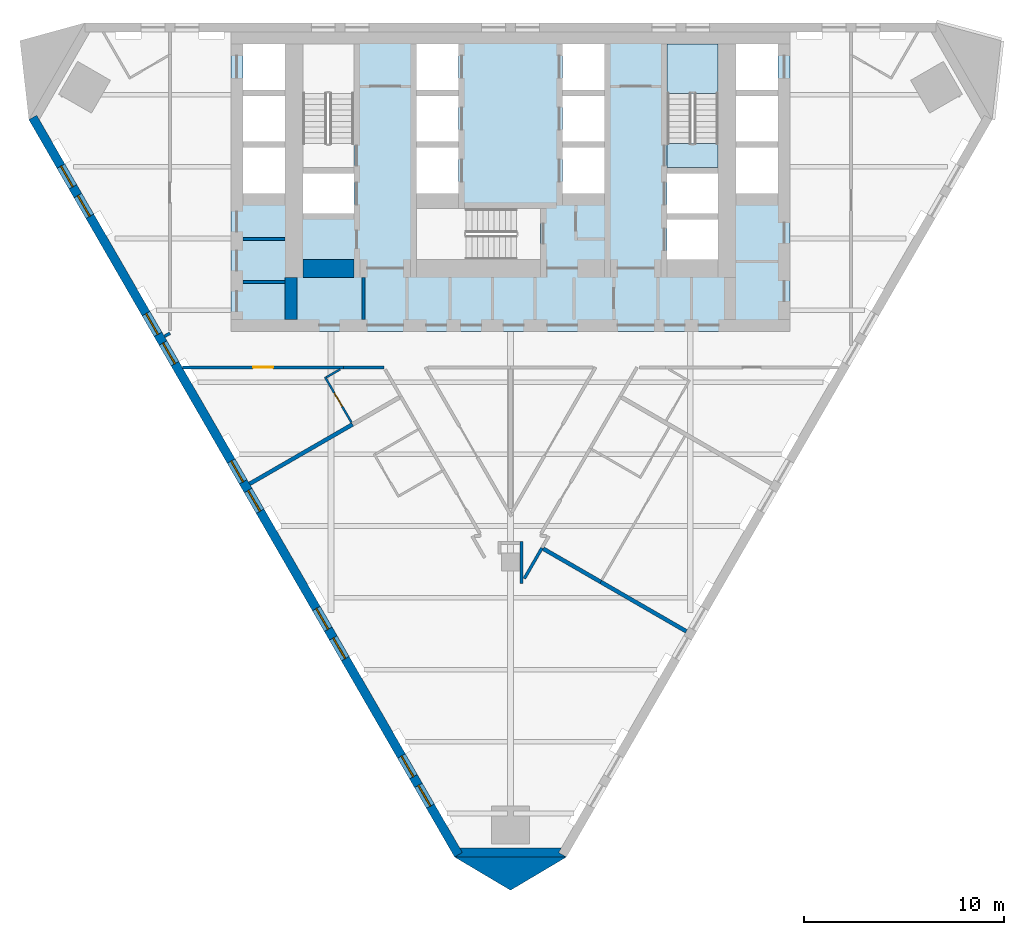
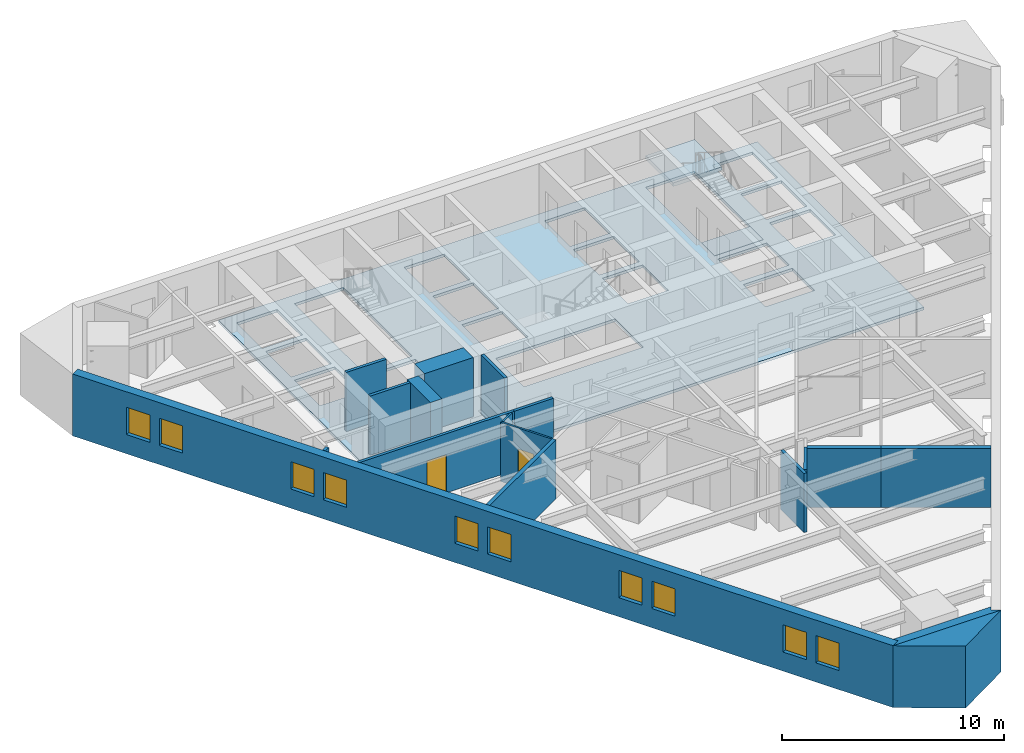
# One storey, part 2 of 9: 18 walls, 10 windows, 3 slabs, 2 doors, 12 openings, 1 element without a shape of its own.
"""IFC4 building model written with IfcOpenShell, lengths in metres."""

from ifc_helpers import new_model, si_unit, direction, frame, frame_2d, origin, place, context, subcontext, project, spatial, polyline, rectangle, outline, extrude, material, layer, layer_set, type_object, element, fill, aggregate, save


model = new_model("IFC4")

# Units and contexts
model_context = context("Model", 3, precision=1e-05, world=origin(), true_north=direction((0.0, 1.0)))
body_context = subcontext(model_context, "Body", "Model", "MODEL_VIEW")
ifc_project = project(units=[si_unit("LENGTHUNIT", "METRE"), si_unit("AREAUNIT", "SQUARE_METRE"), si_unit("VOLUMEUNIT", "CUBIC_METRE"), si_unit("PLANEANGLEUNIT", "RADIAN"), si_unit("MASSUNIT", "GRAM", prefix="KILO")], contexts=[model_context])

# Site, building, storey
site_placement = place(None, origin())
site = spatial("IfcSite", under=ifc_project, at=site_placement, CompositionType="ELEMENT")
building_placement = place(site_placement, origin())
building = spatial("IfcBuilding", under=site, at=building_placement, Name="Aloe Facet Convention Tower", CompositionType="ELEMENT")
storey_placement = place(building_placement, frame((0.0, 0.0, 120.300048828125)))
storey = spatial("IfcBuildingStorey", under=building, at=storey_placement, Name="L30", CompositionType="ELEMENT", Elevation=120.300048828125)

# Slabs
ifc_material_1 = material(Name="Concrete C70/85", Category="concrete")
ifc_layer_1 = layer(ifc_material_1, 0.14990234375)
ifc_layer_set_1 = layer_set([ifc_layer_1], Name="CR-S-FLOOR150-C7085")
slab_type_1 = type_object("IfcSlabType", Name="CR-S-FLOOR150-C7085", PredefinedType="FLOOR", material=ifc_layer_set_1)
slab_1_placement = place(storey_placement, frame((0.0, 0.0, -0.150146484375)))
element("IfcSlab", 1, at=slab_1_placement, inside=storey, type_object=slab_type_1, Name="Core floor L30", PredefinedType="FLOOR", context=body_context, shape_type="SweptSolid", body=[
    extrude(outline(polyline([(69.300048828125, 134.550048828125), (71.85009765625, 134.550048828125), (72.75, 134.550048828125), (74.699951171875, 134.550048828125), (75.60009765625, 134.550048828125), (77.10009765625, 134.550048828125), (78.0, 134.550048828125), (82.0, 134.550048828125), (82.89990234375, 134.550048828125), (84.39990234375, 134.550048828125), (85.300048828125, 134.550048828125), (87.25, 134.550048828125), (88.14990234375, 134.550048828125), (90.699951171875, 134.550048828125), (91.0, 134.550048828125), (94.0, 134.550048828125), (94.0, 131.949951171875), (94.0, 131.050048828125), (94.0, 129.35009765625), (94.0, 128.449951171875), (94.0, 126.449951171875), (94.0, 125.85009765625), (94.0, 123.57373046875), (94.0, 122.523681640625), (94.0, 119.550048828125), (91.300048828125, 119.550048828125), (90.699951171875, 119.550048828125), (89.60009765625, 119.550048828125), (88.550048828125, 119.550048828125), (87.89990234375, 119.550048828125), (86.85009765625, 119.550048828125), (85.699951171875, 119.550048828125), (84.64990234375, 119.550048828125), (83.699951171875, 119.550048828125), (82.64990234375, 119.550048828125), (81.75, 119.550048828125), (80.699951171875, 119.550048828125), (79.61669921875, 119.550048828125), (78.566650390625, 119.550048828125), (77.4833984375, 119.550048828125), (76.433349609375, 119.550048828125), (75.35009765625, 119.550048828125), (74.300048828125, 119.550048828125), (73.14990234375, 119.550048828125), (72.10009765625, 119.550048828125), (69.300048828125, 119.550048828125), (68.699951171875, 119.550048828125), (66.0, 119.550048828125), (66.0, 121.5), (66.0, 122.550048828125), (66.0, 123.639404296875), (66.0, 124.689453125), (66.0, 125.85009765625), (66.0, 126.449951171875), (66.0, 128.449951171875), (66.0, 129.35009765625), (66.0, 131.050048828125), (66.0, 131.949951171875), (66.0, 134.550048828125), (69.0, 134.550048828125), (69.300048828125, 134.550048828125)]), holes=[polyline([(75.300048828125, 123.14990234375), (80.298828125, 123.14990234375), (81.5, 123.14990234375), (81.5, 125.699951171875), (80.298828125, 125.699951171875), (75.300048828125, 125.699951171875), (75.300048828125, 123.14990234375)]), polyline([(69.60009765625, 125.449951171875), (72.14990234375, 125.449951171875), (72.14990234375, 127.449951171875), (69.60009765625, 127.449951171875), (69.60009765625, 125.449951171875)]), polyline([(66.60009765625, 126.449951171875), (68.699951171875, 126.449951171875), (68.699951171875, 128.75), (66.60009765625, 128.75), (66.60009765625, 126.449951171875)]), polyline([(75.300048828125, 126.449951171875), (77.39990234375, 126.449951171875), (77.39990234375, 128.75), (75.300048828125, 128.75), (75.300048828125, 126.449951171875)]), polyline([(66.60009765625, 129.050048828125), (68.699951171875, 129.050048828125), (68.699951171875, 131.35009765625), (66.60009765625, 131.35009765625), (66.60009765625, 129.050048828125)]), polyline([(75.300048828125, 129.050048828125), (77.39990234375, 129.050048828125), (77.39990234375, 131.35009765625), (75.300048828125, 131.35009765625), (75.300048828125, 129.050048828125)]), polyline([(69.60009765625, 133.949951171875), (69.60009765625, 128.951171875), (69.60009765625, 127.75), (72.14990234375, 127.75), (72.14990234375, 128.951171875), (72.14990234375, 133.949951171875), (69.60009765625, 133.949951171875)]), polyline([(66.60009765625, 133.949951171875), (66.60009765625, 131.64990234375), (68.699951171875, 131.64990234375), (68.699951171875, 133.949951171875), (66.60009765625, 133.949951171875)]), polyline([(75.300048828125, 133.949951171875), (75.300048828125, 131.64990234375), (77.39990234375, 131.64990234375), (77.39990234375, 133.949951171875), (75.300048828125, 133.949951171875)]), polyline([(87.85009765625, 123.14990234375), (90.39990234375, 123.14990234375), (90.39990234375, 125.14990234375), (87.85009765625, 125.14990234375), (87.85009765625, 123.14990234375)]), polyline([(87.85009765625, 125.449951171875), (90.39990234375, 125.449951171875), (90.39990234375, 127.449951171875), (87.85009765625, 127.449951171875), (87.85009765625, 125.449951171875)]), polyline([(82.60009765625, 126.449951171875), (84.699951171875, 126.449951171875), (84.699951171875, 128.75), (82.60009765625, 128.75), (82.60009765625, 126.449951171875)]), polyline([(91.300048828125, 126.449951171875), (93.39990234375, 126.449951171875), (93.39990234375, 128.75), (91.300048828125, 128.75), (91.300048828125, 126.449951171875)]), polyline([(82.60009765625, 129.050048828125), (84.699951171875, 129.050048828125), (84.699951171875, 131.35009765625), (82.60009765625, 131.35009765625), (82.60009765625, 129.050048828125)]), polyline([(91.300048828125, 129.050048828125), (93.39990234375, 129.050048828125), (93.39990234375, 131.35009765625), (91.300048828125, 131.35009765625), (91.300048828125, 129.050048828125)]), polyline([(87.85009765625, 133.949951171875), (87.85009765625, 128.951171875), (87.85009765625, 127.75), (90.39990234375, 127.75), (90.39990234375, 128.951171875), (90.39990234375, 133.949951171875), (87.85009765625, 133.949951171875)]), polyline([(82.60009765625, 133.949951171875), (82.60009765625, 131.64990234375), (84.699951171875, 131.64990234375), (84.699951171875, 133.949951171875), (82.60009765625, 133.949951171875)]), polyline([(91.300048828125, 133.949951171875), (91.300048828125, 131.64990234375), (93.39990234375, 131.64990234375), (93.39990234375, 133.949951171875), (91.300048828125, 133.949951171875)])]), origin(), (0.0, 0.0, 1.0), 0.150146484375),
])
ifc_material_2 = material(Name="Concrete C70/85", Category="concrete")
ifc_layer_2 = layer(ifc_material_2, 0.300048828125)
ifc_layer_set_2 = layer_set([ifc_layer_2], Name="CR-S-FLOOR300-C7085")
slab_type_2 = type_object("IfcSlabType", Name="CR-S-FLOOR300-C7085", PredefinedType="FLOOR", material=ifc_layer_set_2)
slab_2_placement = place(storey_placement, frame((0.0, 0.0, -0.300048828125)))
element("IfcSlab", 2, at=slab_2_placement, inside=storey, type_object=slab_type_2, Name="Stair landing floor L30", PredefinedType="FLOOR", context=body_context, shape_type="SweptSolid", body=[
    extrude(outline(polyline([(90.39990234375, 127.75), (90.39990234375, 128.951171875), (87.85009765625, 128.951171875), (87.85009765625, 127.75), (90.39990234375, 127.75)])), origin(), (0.0, 0.0, 1.0), 0.300048828125),
])

# Stair, slab
ifc_material_3 = material(Name="Concrete C50/60", Category="concrete")
stair_type = type_object("IfcStairType", Name="CR-ST-20R", PredefinedType="HALF_TURN_STAIR", material=ifc_material_3)
stair_placement = place(storey_placement, origin())
stair = element("IfcStair", 3, at=stair_placement, inside=storey, type_object=stair_type, Name="L30 Protected exit stair ST2", PredefinedType="HALF_TURN_STAIR")
ifc_material_4 = material(Name="Concrete C50/60", Category="concrete")
ifc_layer_3 = layer(ifc_material_4, 0.199951171875)
ifc_layer_set_3 = layer_set([ifc_layer_3], Name="CR-SL-LANDING")
slab_type_3 = type_object("IfcSlabType", Name="CR-SL-LANDING", PredefinedType="LANDING", material=ifc_layer_set_3)
slab_3_placement = place(storey_placement, frame((0.0, 0.0, 1.550048828125)))
slab_3 = element("IfcSlab", 4, at=slab_3_placement, type_object=slab_type_3, Name="ST2 landing 1", PredefinedType="LANDING", context=body_context, shape_type="SweptSolid", body=[
    extrude(outline(polyline([(90.39990234375, 131.469970703125), (90.39990234375, 133.949951171875), (87.85009765625, 133.949951171875), (87.85009765625, 131.469970703125), (90.39990234375, 131.469970703125)])), origin(), (0.0, 0.0, 1.0), 0.199951171875),
])
aggregate(stair, [slab_3])

# Walls
ifc_material_5 = material(Name="Concrete blockwork partition", Category="masonry")
ifc_layer_4 = layer(ifc_material_5, 0.14990234375)
ifc_layer_set_4 = layer_set([ifc_layer_4], Name="CR-W-PART150")
wall_type_1 = type_object("IfcWallType", Name="CR-W-PART150", PredefinedType="PARTITIONING", material=ifc_layer_set_4)
for number, where, z_axis, x_axis, name in (
    (5, (66.60009765625, 124.16455078125, 0.0), (0.0, 0.0, 1.0), (1.0, 0.0, 0.0), "Core partition L30-007"),
    (6, (66.60009765625, 122.02490234375, 0.0), (0.0, 0.0, 1.0), (1.0, 0.0, 0.0), "Core partition L30-008"),
):
    element("IfcWall", number, at=place(storey_placement, frame(where, z_axis=z_axis, x_axis=x_axis)), inside=storey, type_object=wall_type_1, Name=name, PredefinedType="PARTITIONING", context=body_context, shape_type="SweptSolid", body=[
        extrude(rectangle(XDim=2.099853515625, YDim=0.14990234375, at=frame_2d((1.0498046875, 0.0))), origin(), (0.0, 0.0, 1.0), 3.25),
    ])
wall_1_placement = place(storey_placement, frame((72.625, 122.25, 0.0), z_axis=(0.0, 0.0, 1.0), x_axis=(0.0, -1.0, 0.0)))
element("IfcWall", 7, at=wall_1_placement, inside=storey, type_object=wall_type_1, Name="Core partition L30-017", PredefinedType="PARTITIONING", context=body_context, shape_type="SweptSolid", body=[
    extrude(rectangle(XDim=2.10009765625, YDim=0.14990234375, at=frame_2d((1.050048828125, 0.0))), origin(), (0.0, 0.0, 1.0), 3.25),
])
ifc_material_6 = material(Name="Concrete C70/85", Category="concrete")
ifc_layer_5 = layer(ifc_material_6, 0.60009765625)
ifc_layer_set_5 = layer_set([ifc_layer_5], Name="CR-W-RC600-C7085")
wall_type_2 = type_object("IfcWallType", Name="CR-W-RC600-C7085", PredefinedType="SOLIDWALL", material=ifc_layer_set_5)
wall_2_placement = place(storey_placement, frame((69.0, 122.25, 0.0), z_axis=(0.0, 0.0, 1.0), x_axis=(0.0, -1.0, 0.0)))
element("IfcWall", 8, at=wall_2_placement, inside=storey, type_object=wall_type_2, Name="Core wall L30-010", PredefinedType="SOLIDWALL", context=body_context, shape_type="SweptSolid", body=[
    extrude(rectangle(XDim=2.10009765625, YDim=0.60009765625, at=frame_2d((1.050048828125, 0.0))), origin(), (0.0, 0.0, 1.0), 3.25),
])
ifc_material_7 = material(Name="Concrete C70/85", Category="concrete")
ifc_layer_6 = layer(ifc_material_7, 0.89990234375)
ifc_layer_set_6 = layer_set([ifc_layer_6], Name="CR-W-RC900-C7085")
wall_type_3 = type_object("IfcWallType", Name="CR-W-RC900-C7085", PredefinedType="SOLIDWALL", material=ifc_layer_set_6)
wall_3_placement = place(storey_placement, frame((69.60009765625, 122.699951171875, 0.0), z_axis=(0.0, 0.0, 1.0), x_axis=(1.0, 0.0, 0.0)))
element("IfcWall", 9, at=wall_3_placement, inside=storey, type_object=wall_type_3, Name="Core wall L30-013", PredefinedType="SOLIDWALL", context=body_context, shape_type="SweptSolid", body=[
    extrude(rectangle(XDim=2.5498046875, YDim=0.89990234375, at=frame_2d((1.27490234375, 0.0))), origin(), (0.0, 0.0, 1.0), 3.25),
])
ifc_material_8 = material(Name="Precast concrete C40/50", Category="concrete")
ifc_layer_7 = layer(ifc_material_8, 0.449951171875)
ifc_layer_set_7 = layer_set([ifc_layer_7], Name="EV-WALL-PIER")
wall_type_4 = type_object("IfcWallType", Name="EV-WALL-PIER", PredefinedType="SOLIDWALL", material=ifc_layer_set_7)
wall_4_placement = place(storey_placement, frame((0.0, 0.0, -0.150146484375)))
element("IfcWall", 10, at=wall_4_placement, inside=storey, type_object=wall_type_4, Name="EP-L30-B", PredefinedType="SOLIDWALL", context=body_context, shape_type="SweptSolid", body=[
    extrude(outline(polyline([(77.199951171875, 93.22021484375), (77.589599609375, 93.4453125), (77.459716796875, 93.670166015625), (82.540283203125, 93.670166015625), (82.410400390625, 93.4453125), (82.800048828125, 93.22021484375), (77.199951171875, 93.22021484375)])), origin(), (0.0, 0.0, 1.0), 3.400146484375),
])
ifc_material_9 = material(Name="Precast concrete C40/50", Category="concrete")
ifc_layer_8 = layer(ifc_material_9, 3.947998046875)
ifc_layer_set_8 = layer_set([ifc_layer_8], Name="EV-WALL-SPINE")
wall_type_5 = type_object("IfcWallType", Name="EV-WALL-SPINE", PredefinedType="SOLIDWALL", material=ifc_layer_set_8)
wall_5_placement = place(storey_placement, frame((0.0, 0.0, -0.150146484375)))
element("IfcWall", 11, at=wall_5_placement, inside=storey, type_object=wall_type_5, Name="SP-S-L30", PredefinedType="SOLIDWALL", context=body_context, shape_type="SweptSolid", body=[
    extrude(outline(polyline([(77.199951171875, 93.22021484375), (80.0, 91.55615234375), (82.800048828125, 93.22021484375), (77.199951171875, 93.22021484375)])), origin(), (0.0, 0.0, 1.0), 3.400146484375),
])

# Wall, openings, windows
ifc_material_10 = material(Name="Precast concrete C40/50", Category="concrete")
ifc_layer_9 = layer(ifc_material_10, 0.449951171875)
ifc_layer_set_9 = layer_set([ifc_layer_9], Name="EV-WALL-STONE")
wall_type_6 = type_object("IfcWallType", Name="EV-WALL-STONE", PredefinedType="SOLIDWALL", material=ifc_layer_set_9)
wall_6_placement = place(storey_placement, frame((56.0732421875, 130.2626953125, -0.150146484375), z_axis=(0.0, 0.0, 1.0), x_axis=(0.500000478905, -0.866025127289, 0.0)))
wall_6 = element("IfcWall", 12, at=wall_6_placement, inside=storey, type_object=wall_type_6, Name="EW-L30-W01", PredefinedType="SOLIDWALL", context=body_context, shape_type="SweptSolid", body=[
    extrude(outline(polyline([(42.64306640625, 0.0), (42.64306640625, 3.400146484375), (0.0, 3.400146484375), (0.0, 0.0), (42.64306640625, 0.0)])), frame((0.0, 0.22509765625, 0.0), z_axis=(0.0, -1.0, 0.0), x_axis=(1.0, 0.0, 0.0)), (0.0, 0.0, 1.0), 0.449951171875),
])
opening_1_placement = place(wall_6_placement, frame((2.814208984375, 0.0, 1.050048828125)))
opening_1 = element("IfcOpeningElement", 13, at=opening_1_placement, cuts=wall_6, Name="Opening W-L30-W01", PredefinedType="OPENING", context=body_context, shape_type="SweptSolid", body=[
    extrude(rectangle(XDim=1.199951171875, YDim=1.5, at=frame_2d((0.60009765625, 0.75))), frame((0.0, 0.23486328125, 0.0), z_axis=(0.0, -1.0, 0.0), x_axis=(1.0, 0.0, 0.0)), (0.0, 0.0, 1.0), 0.469970703125),
])
opening_2_placement = place(wall_6_placement, frame((4.514404296875, 0.0, 1.050048828125)))
opening_2 = element("IfcOpeningElement", 14, at=opening_2_placement, cuts=wall_6, Name="Opening W-L30-W02", PredefinedType="OPENING", context=body_context, shape_type="SweptSolid", body=[
    extrude(rectangle(XDim=1.199951171875, YDim=1.5, at=frame_2d((0.60009765625, 0.75))), frame((0.0, 0.23486328125, 0.0), z_axis=(0.0, -1.0, 0.0), x_axis=(1.0, 0.0, 0.0)), (0.0, 0.0, 1.0), 0.469970703125),
])
opening_3_placement = place(wall_6_placement, frame((11.343017578125, 0.0, 1.050048828125)))
opening_3 = element("IfcOpeningElement", 15, at=opening_3_placement, cuts=wall_6, Name="Opening W-L30-W03", PredefinedType="OPENING", context=body_context, shape_type="SweptSolid", body=[
    extrude(rectangle(XDim=1.199951171875, YDim=1.5, at=frame_2d((0.60009765625, 0.75))), frame((0.0, 0.23486328125, 0.0), z_axis=(0.0, -1.0, 0.0), x_axis=(1.0, 0.0, 0.0)), (0.0, 0.0, 1.0), 0.469970703125),
])
opening_4_placement = place(wall_6_placement, frame((13.04296875, 0.0, 1.050048828125)))
opening_4 = element("IfcOpeningElement", 16, at=opening_4_placement, cuts=wall_6, Name="Opening W-L30-W04", PredefinedType="OPENING", context=body_context, shape_type="SweptSolid", body=[
    extrude(rectangle(XDim=1.199951171875, YDim=1.5, at=frame_2d((0.60009765625, 0.75))), frame((0.0, 0.23486328125, 0.0), z_axis=(0.0, -1.0, 0.0), x_axis=(1.0, 0.0, 0.0)), (0.0, 0.0, 1.0), 0.469970703125),
])
opening_5_placement = place(wall_6_placement, frame((19.87158203125, 0.0, 1.050048828125)))
opening_5 = element("IfcOpeningElement", 17, at=opening_5_placement, cuts=wall_6, Name="Opening W-L30-W05", PredefinedType="OPENING", context=body_context, shape_type="SweptSolid", body=[
    extrude(rectangle(XDim=1.199951171875, YDim=1.5, at=frame_2d((0.60009765625, 0.75))), frame((0.0, 0.23486328125, 0.0), z_axis=(0.0, -1.0, 0.0), x_axis=(1.0, 0.0, 0.0)), (0.0, 0.0, 1.0), 0.469970703125),
])
opening_6_placement = place(wall_6_placement, frame((21.571533203125, 0.0, 1.050048828125)))
opening_6 = element("IfcOpeningElement", 18, at=opening_6_placement, cuts=wall_6, Name="Opening W-L30-W06", PredefinedType="OPENING", context=body_context, shape_type="SweptSolid", body=[
    extrude(rectangle(XDim=1.199951171875, YDim=1.5, at=frame_2d((0.60009765625, 0.75))), frame((0.0, 0.23486328125, 0.0), z_axis=(0.0, -1.0, 0.0), x_axis=(1.0, 0.0, 0.0)), (0.0, 0.0, 1.0), 0.469970703125),
])
opening_7_placement = place(wall_6_placement, frame((28.400146484375, 0.0, 1.050048828125)))
opening_7 = element("IfcOpeningElement", 19, at=opening_7_placement, cuts=wall_6, Name="Opening W-L30-W07", PredefinedType="OPENING", context=body_context, shape_type="SweptSolid", body=[
    extrude(rectangle(XDim=1.199951171875, YDim=1.5, at=frame_2d((0.60009765625, 0.75))), frame((0.0, 0.23486328125, 0.0), z_axis=(0.0, -1.0, 0.0), x_axis=(1.0, 0.0, 0.0)), (0.0, 0.0, 1.0), 0.469970703125),
])
opening_8_placement = place(wall_6_placement, frame((30.10009765625, 0.0, 1.050048828125)))
opening_8 = element("IfcOpeningElement", 20, at=opening_8_placement, cuts=wall_6, Name="Opening W-L30-W08", PredefinedType="OPENING", context=body_context, shape_type="SweptSolid", body=[
    extrude(rectangle(XDim=1.199951171875, YDim=1.5, at=frame_2d((0.60009765625, 0.75))), frame((0.0, 0.23486328125, 0.0), z_axis=(0.0, -1.0, 0.0), x_axis=(1.0, 0.0, 0.0)), (0.0, 0.0, 1.0), 0.469970703125),
])
opening_9_placement = place(wall_6_placement, frame((36.9287109375, 0.0, 1.050048828125)))
opening_9 = element("IfcOpeningElement", 21, at=opening_9_placement, cuts=wall_6, Name="Opening W-L30-W09", PredefinedType="OPENING", context=body_context, shape_type="SweptSolid", body=[
    extrude(rectangle(XDim=1.199951171875, YDim=1.5, at=frame_2d((0.60009765625, 0.75))), frame((0.0, 0.23486328125, 0.0), z_axis=(0.0, -1.0, 0.0), x_axis=(1.0, 0.0, 0.0)), (0.0, 0.0, 1.0), 0.469970703125),
])
opening_10_placement = place(wall_6_placement, frame((38.628662109375, 0.0, 1.050048828125)))
opening_10 = element("IfcOpeningElement", 22, at=opening_10_placement, cuts=wall_6, Name="Opening W-L30-W10", PredefinedType="OPENING", context=body_context, shape_type="SweptSolid", body=[
    extrude(rectangle(XDim=1.199951171875, YDim=1.5, at=frame_2d((0.60009765625, 0.75))), frame((0.0, 0.23486328125, 0.0), z_axis=(0.0, -1.0, 0.0), x_axis=(1.0, 0.0, 0.0)), (0.0, 0.0, 1.0), 0.469970703125),
])
ifc_material_11 = material(Name="Aluminium frame, clear double glazing", Category="aluminium")
window_type = type_object("IfcWindowType", Name="EV-WIN-H12", PartitioningType="SINGLE_PANEL", PredefinedType="WINDOW", material=ifc_material_11)
window_1_placement = place(opening_1_placement, origin())
window_1 = element("IfcWindow", 23, at=window_1_placement, inside=storey, type_object=window_type, Name="W-L30-W01", OverallHeight=1.5, OverallWidth=1.199951171875, PartitioningType="SINGLE_PANEL", PredefinedType="WINDOW", context=body_context, shape_type="SweptSolid", body=[
    extrude(rectangle(XDim=1.199951171875, YDim=1.5, at=frame_2d((0.60009765625, 0.75))), frame((0.0, 0.030029296875, 0.0), z_axis=(0.0, -1.0, 0.0), x_axis=(1.0, 0.0, 0.0)), (0.0, 0.0, 1.0), 0.06005859375),
])
fill(opening_1, window_1)
window_2_placement = place(opening_2_placement, origin())
window_2 = element("IfcWindow", 24, at=window_2_placement, inside=storey, type_object=window_type, Name="W-L30-W02", OverallHeight=1.5, OverallWidth=1.199951171875, PartitioningType="SINGLE_PANEL", PredefinedType="WINDOW", context=body_context, shape_type="SweptSolid", body=[
    extrude(rectangle(XDim=1.199951171875, YDim=1.5, at=frame_2d((0.60009765625, 0.75))), frame((0.0, 0.030029296875, 0.0), z_axis=(0.0, -1.0, 0.0), x_axis=(1.0, 0.0, 0.0)), (0.0, 0.0, 1.0), 0.06005859375),
])
fill(opening_2, window_2)
window_3_placement = place(opening_3_placement, origin())
window_3 = element("IfcWindow", 25, at=window_3_placement, inside=storey, type_object=window_type, Name="W-L30-W03", OverallHeight=1.5, OverallWidth=1.199951171875, PartitioningType="SINGLE_PANEL", PredefinedType="WINDOW", context=body_context, shape_type="SweptSolid", body=[
    extrude(rectangle(XDim=1.199951171875, YDim=1.5, at=frame_2d((0.60009765625, 0.75))), frame((0.0, 0.030029296875, 0.0), z_axis=(0.0, -1.0, 0.0), x_axis=(1.0, 0.0, 0.0)), (0.0, 0.0, 1.0), 0.06005859375),
])
fill(opening_3, window_3)
window_4_placement = place(opening_4_placement, origin())
window_4 = element("IfcWindow", 26, at=window_4_placement, inside=storey, type_object=window_type, Name="W-L30-W04", OverallHeight=1.5, OverallWidth=1.199951171875, PartitioningType="SINGLE_PANEL", PredefinedType="WINDOW", context=body_context, shape_type="SweptSolid", body=[
    extrude(rectangle(XDim=1.199951171875, YDim=1.5, at=frame_2d((0.60009765625, 0.75))), frame((0.0, 0.030029296875, 0.0), z_axis=(0.0, -1.0, 0.0), x_axis=(1.0, 0.0, 0.0)), (0.0, 0.0, 1.0), 0.06005859375),
])
fill(opening_4, window_4)
window_5_placement = place(opening_5_placement, origin())
window_5 = element("IfcWindow", 27, at=window_5_placement, inside=storey, type_object=window_type, Name="W-L30-W05", OverallHeight=1.5, OverallWidth=1.199951171875, PartitioningType="SINGLE_PANEL", PredefinedType="WINDOW", context=body_context, shape_type="SweptSolid", body=[
    extrude(rectangle(XDim=1.199951171875, YDim=1.5, at=frame_2d((0.60009765625, 0.75))), frame((0.0, 0.030029296875, 0.0), z_axis=(0.0, -1.0, 0.0), x_axis=(1.0, 0.0, 0.0)), (0.0, 0.0, 1.0), 0.06005859375),
])
fill(opening_5, window_5)
window_6_placement = place(opening_6_placement, origin())
window_6 = element("IfcWindow", 28, at=window_6_placement, inside=storey, type_object=window_type, Name="W-L30-W06", OverallHeight=1.5, OverallWidth=1.199951171875, PartitioningType="SINGLE_PANEL", PredefinedType="WINDOW", context=body_context, shape_type="SweptSolid", body=[
    extrude(rectangle(XDim=1.199951171875, YDim=1.5, at=frame_2d((0.60009765625, 0.75))), frame((0.0, 0.030029296875, 0.0), z_axis=(0.0, -1.0, 0.0), x_axis=(1.0, 0.0, 0.0)), (0.0, 0.0, 1.0), 0.06005859375),
])
fill(opening_6, window_6)
window_7_placement = place(opening_7_placement, origin())
window_7 = element("IfcWindow", 29, at=window_7_placement, inside=storey, type_object=window_type, Name="W-L30-W07", OverallHeight=1.5, OverallWidth=1.199951171875, PartitioningType="SINGLE_PANEL", PredefinedType="WINDOW", context=body_context, shape_type="SweptSolid", body=[
    extrude(rectangle(XDim=1.199951171875, YDim=1.5, at=frame_2d((0.60009765625, 0.75))), frame((0.0, 0.030029296875, 0.0), z_axis=(0.0, -1.0, 0.0), x_axis=(1.0, 0.0, 0.0)), (0.0, 0.0, 1.0), 0.06005859375),
])
fill(opening_7, window_7)
window_8_placement = place(opening_8_placement, origin())
window_8 = element("IfcWindow", 30, at=window_8_placement, inside=storey, type_object=window_type, Name="W-L30-W08", OverallHeight=1.5, OverallWidth=1.199951171875, PartitioningType="SINGLE_PANEL", PredefinedType="WINDOW", context=body_context, shape_type="SweptSolid", body=[
    extrude(rectangle(XDim=1.199951171875, YDim=1.5, at=frame_2d((0.60009765625, 0.75))), frame((0.0, 0.030029296875, 0.0), z_axis=(0.0, -1.0, 0.0), x_axis=(1.0, 0.0, 0.0)), (0.0, 0.0, 1.0), 0.06005859375),
])
fill(opening_8, window_8)
window_9_placement = place(opening_9_placement, origin())
window_9 = element("IfcWindow", 31, at=window_9_placement, inside=storey, type_object=window_type, Name="W-L30-W09", OverallHeight=1.5, OverallWidth=1.199951171875, PartitioningType="SINGLE_PANEL", PredefinedType="WINDOW", context=body_context, shape_type="SweptSolid", body=[
    extrude(rectangle(XDim=1.199951171875, YDim=1.5, at=frame_2d((0.60009765625, 0.75))), frame((0.0, 0.030029296875, 0.0), z_axis=(0.0, -1.0, 0.0), x_axis=(1.0, 0.0, 0.0)), (0.0, 0.0, 1.0), 0.06005859375),
])
fill(opening_9, window_9)
window_10_placement = place(opening_10_placement, origin())
window_10 = element("IfcWindow", 32, at=window_10_placement, inside=storey, type_object=window_type, Name="W-L30-W10", OverallHeight=1.5, OverallWidth=1.199951171875, PartitioningType="SINGLE_PANEL", PredefinedType="WINDOW", context=body_context, shape_type="SweptSolid", body=[
    extrude(rectangle(XDim=1.199951171875, YDim=1.5, at=frame_2d((0.60009765625, 0.75))), frame((0.0, 0.030029296875, 0.0), z_axis=(0.0, -1.0, 0.0), x_axis=(1.0, 0.0, 0.0)), (0.0, 0.0, 1.0), 0.06005859375),
])
fill(opening_10, window_10)

# Walls
ifc_material_12 = material(Name="Gypsum board partition on steel studs", Category="steel")
ifc_layer_10 = layer(ifc_material_12, 0.14990234375)
ifc_layer_set_10 = layer_set([ifc_layer_10], Name="IN-W-CORR")
wall_type_7 = type_object("IfcWallType", Name="IN-W-CORR", PredefinedType="PARTITIONING", material=ifc_layer_set_10)
wall_7_placement = place(storey_placement, frame((80.550048828125, 106.923095703125, 0.0), z_axis=(0.0, 0.0, 1.0), x_axis=(0.0, 1.0, 0.0)))
element("IfcWall", 33, at=wall_7_placement, inside=storey, type_object=wall_type_7, Name="Partition L30-W002", PredefinedType="PARTITIONING", context=body_context, shape_type="SweptSolid", body=[
    extrude(rectangle(XDim=2.101806640625, YDim=0.14990234375, at=frame_2d((1.05078125, 0.0))), origin(), (0.0, 0.0, 1.0), 3.25),
])
wall_8_placement = place(storey_placement, frame((80.68994140625, 107.165283203125, 0.0), z_axis=(0.0, 0.0, 1.0), x_axis=(0.500481964749, 0.865746962432, 0.0)))
element("IfcWall", 34, at=wall_8_placement, inside=storey, type_object=wall_type_7, Name="Partition L30-W005", PredefinedType="PARTITIONING", context=body_context, shape_type="SweptSolid", body=[
    extrude(rectangle(XDim=1.771240234375, YDim=0.14990234375, at=frame_2d((0.8857421875, 0.0))), origin(), (0.0, 0.0, 1.0), 3.25),
])
wall_9_placement = place(storey_placement, frame((71.6435546875, 117.75, 0.0), z_axis=(0.0, 0.0, 1.0), x_axis=(1.0, 0.0, 0.0)))
element("IfcWall", 35, at=wall_9_placement, inside=storey, type_object=wall_type_7, Name="Partition L30-W045", PredefinedType="PARTITIONING", context=body_context, shape_type="SweptSolid", body=[
    extrude(rectangle(XDim=2.017333984375, YDim=0.14990234375, at=frame_2d((1.0087890625, 0.0))), origin(), (0.0, 0.0, 1.0), 3.25),
])

# Wall, opening, door
wall_10_placement = place(storey_placement, frame((63.56884765625, 117.75, 0.0), z_axis=(0.0, 0.0, 1.0), x_axis=(1.0, 0.0, 0.0)))
wall_10 = element("IfcWall", 36, at=wall_10_placement, inside=storey, type_object=wall_type_7, Name="Partition L30-W046", PredefinedType="PARTITIONING", context=body_context, shape_type="SweptSolid", body=[
    extrude(rectangle(XDim=8.07470703125, YDim=0.14990234375, at=frame_2d((4.037353515625, 0.0))), origin(), (0.0, 0.0, 1.0), 3.25),
])
opening_11_placement = place(wall_10_placement, frame((3.537353515625, 0.0, 0.0)))
opening_11 = element("IfcOpeningElement", 37, at=opening_11_placement, cuts=wall_10, Name="Opening L30-002", PredefinedType="OPENING", context=body_context, shape_type="SweptSolid", body=[
    extrude(rectangle(XDim=1.0, YDim=2.10009765625, at=frame_2d((0.5, 1.050048828125))), frame((0.0, 0.0849609375, 0.0), z_axis=(0.0, -1.0, 0.0), x_axis=(1.0, 0.0, 0.0)), (0.0, 0.0, 1.0), 0.169921875),
])
ifc_material_13 = material(Name="Hardwood flush door FD30S", Category="wood")
door_type_1 = type_object("IfcDoorType", Name="IN-D-WIDE", OperationType="SINGLE_SWING_LEFT", PredefinedType="DOOR", material=ifc_material_13)
door_1_placement = place(opening_11_placement, origin())
door_1 = element("IfcDoor", 38, at=door_1_placement, inside=storey, type_object=door_type_1, Name="Door L30-002", OperationType="SINGLE_SWING_LEFT", OverallHeight=2.10009765625, OverallWidth=1.0, PredefinedType="DOOR", context=body_context, shape_type="SweptSolid", body=[
    extrude(rectangle(XDim=1.0, YDim=2.10009765625, at=frame_2d((0.5, 1.050048828125))), frame((0.0, 0.02490234375, 0.0), z_axis=(0.0, -1.0, 0.0), x_axis=(1.0, 0.0, 0.0)), (0.0, 0.0, 1.0), 0.050048828125),
])
fill(opening_11, door_1)

# Wall
wall_11_placement = place(storey_placement, frame((62.67333984375, 119.30126953125, 0.0), z_axis=(0.0, 0.0, 1.0), x_axis=(0.866159461733, 0.499767732902, 0.0)))
element("IfcWall", 39, at=wall_11_placement, inside=storey, type_object=wall_type_7, Name="Partition L30-W053", PredefinedType="PARTITIONING", context=body_context, shape_type="SweptSolid", body=[
    extrude(rectangle(XDim=0.311279296875, YDim=0.14990234375, at=frame_2d((0.15576171875, 0.0))), origin(), (0.0, 0.0, 1.0), 3.25),
])

# Wall, opening, door
ifc_material_14 = material(Name="Gypsum board partition on steel studs", Category="steel")
ifc_layer_11 = layer(ifc_material_14, 0.10009765625)
ifc_layer_set_11 = layer_set([ifc_layer_11], Name="IN-W-PART")
wall_type_8 = type_object("IfcWallType", Name="IN-W-PART", PredefinedType="PARTITIONING", material=ifc_layer_set_11)
wall_12_placement = place(storey_placement, frame((70.70654296875, 117.266845703125, 0.0), z_axis=(0.0, 0.0, 1.0), x_axis=(0.503232687374, -0.864150948827, 0.0)))
wall_12 = element("IfcWall", 40, at=wall_12_placement, inside=storey, type_object=wall_type_8, Name="Partition L30-W030", PredefinedType="PARTITIONING", context=body_context, shape_type="SweptSolid", body=[
    extrude(rectangle(XDim=2.64013671875, YDim=0.10009765625, at=frame_2d((1.320068359375, 0.0))), origin(), (0.0, 0.0, 1.0), 3.25),
])
opening_12_placement = place(wall_12_placement, frame((0.919921875, 0.0, 0.0)))
opening_12 = element("IfcOpeningElement", 41, at=opening_12_placement, cuts=wall_12, Name="Opening L30-010", PredefinedType="OPENING", context=body_context, shape_type="SweptSolid", body=[
    extrude(rectangle(XDim=0.800048828125, YDim=2.10009765625, at=frame_2d((0.39990234375, 1.050048828125))), frame((0.0, 0.06005859375, 0.0), z_axis=(0.0, -1.0, 0.0), x_axis=(1.0, 0.0, 0.0)), (0.0, 0.0, 1.0), 0.1201171875),
])
ifc_material_15 = material(Name="Timber flush door", Category="wood")
door_type_2 = type_object("IfcDoorType", Name="IN-D-BATH", OperationType="SINGLE_SWING_LEFT", PredefinedType="DOOR", material=ifc_material_15)
door_2_placement = place(opening_12_placement, origin())
door_2 = element("IfcDoor", 42, at=door_2_placement, inside=storey, type_object=door_type_2, Name="Door L30-010", OperationType="SINGLE_SWING_LEFT", OverallHeight=2.10009765625, OverallWidth=0.800048828125, PredefinedType="DOOR", context=body_context, shape_type="SweptSolid", body=[
    extrude(rectangle(XDim=0.800048828125, YDim=2.10009765625, at=frame_2d((0.39990234375, 1.050048828125))), frame((0.0, 0.02490234375, 0.0), z_axis=(0.0, -1.0, 0.0), x_axis=(1.0, 0.0, 0.0)), (0.0, 0.0, 1.0), 0.050048828125),
])
fill(opening_12, door_2)

# Walls
wall_13_placement = place(storey_placement, frame((70.78369140625, 117.25341796875, 0.0), z_axis=(0.0, 0.0, 1.0), x_axis=(0.865984347675, 0.500071104525, 0.0)))
element("IfcWall", 43, at=wall_13_placement, inside=storey, type_object=wall_type_8, Name="Partition L30-W044", PredefinedType="PARTITIONING", context=body_context, shape_type="SweptSolid", body=[
    extrude(rectangle(XDim=0.7880859375, YDim=0.10009765625, at=frame_2d((0.39404296875, 0.0))), origin(), (0.0, 0.0, 1.0), 3.25),
])
ifc_material_16 = material(Name="Gypsum board partition on steel studs", Category="steel")
ifc_layer_12 = layer(ifc_material_16, 0.199951171875)
ifc_layer_set_12 = layer_set([ifc_layer_12], Name="IN-W-PARTY")
wall_type_9 = type_object("IfcWallType", Name="IN-W-PARTY", PredefinedType="PARTITIONING", material=ifc_layer_set_12)
wall_14_placement = place(storey_placement, frame((84.52001953125, 106.999267578125, 0.0), z_axis=(0.0, 0.0, 1.0), x_axis=(0.866006523861, -0.500032699561, 0.0)))
element("IfcWall", 44, at=wall_14_placement, inside=storey, type_object=wall_type_9, Name="Partition L30-W001", PredefinedType="PARTITIONING", context=body_context, shape_type="SweptSolid", body=[
    extrude(rectangle(XDim=4.949951171875, YDim=0.199951171875, at=frame_2d((2.47509765625, 0.0))), origin(), (0.0, 0.0, 1.0), 3.25),
])
wall_15_placement = place(storey_placement, frame((81.641357421875, 108.661376953125, 0.0), z_axis=(0.0, 0.0, 1.0), x_axis=(0.866010679209, -0.500025502846, 0.0)))
element("IfcWall", 45, at=wall_15_placement, inside=storey, type_object=wall_type_9, Name="Partition L30-W003", PredefinedType="PARTITIONING", context=body_context, shape_type="SweptSolid", body=[
    extrude(rectangle(XDim=3.323974609375, YDim=0.199951171875, at=frame_2d((1.662109375, 0.0))), origin(), (0.0, 0.0, 1.0), 3.25),
])
wall_16_placement = place(storey_placement, frame((66.928955078125, 111.91015625, 0.0), z_axis=(0.0, 0.0, 1.0), x_axis=(0.866003444533, 0.50003803261, 0.0)))
element("IfcWall", 46, at=wall_16_placement, inside=storey, type_object=wall_type_9, Name="Partition L30-W017", PredefinedType="PARTITIONING", context=body_context, shape_type="SweptSolid", body=[
    extrude(rectangle(XDim=5.9599609375, YDim=0.199951171875, at=frame_2d((2.97998046875, 0.0))), origin(), (0.0, 0.0, 1.0), 3.25),
])

save(model, "model.ifc")
